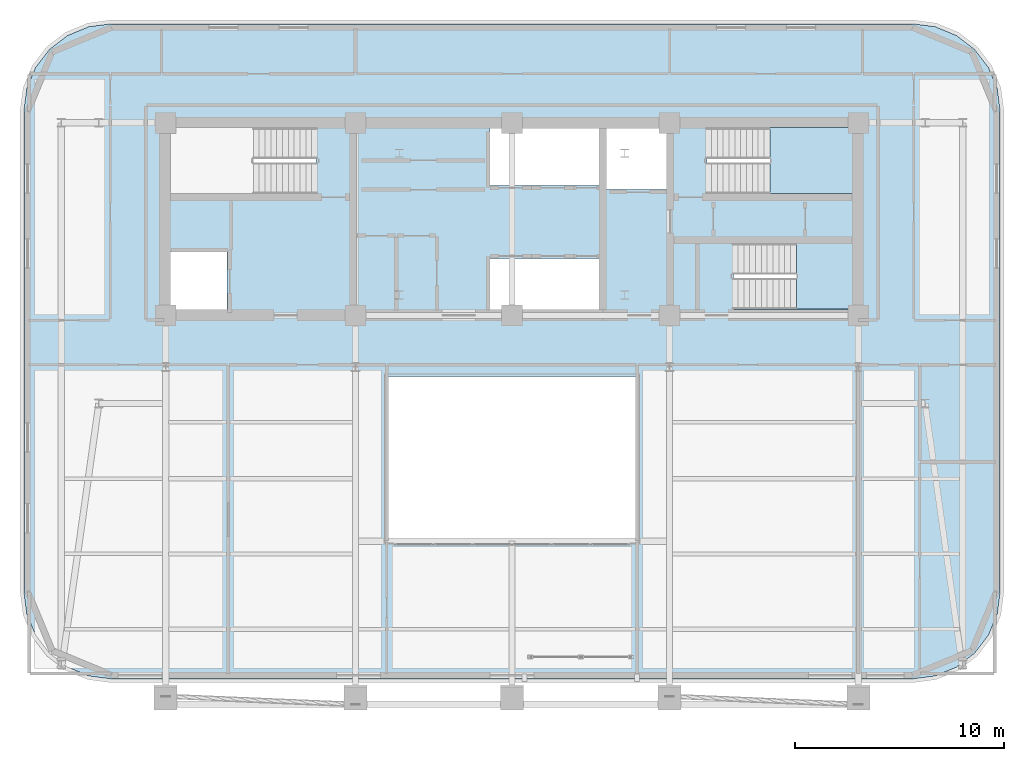
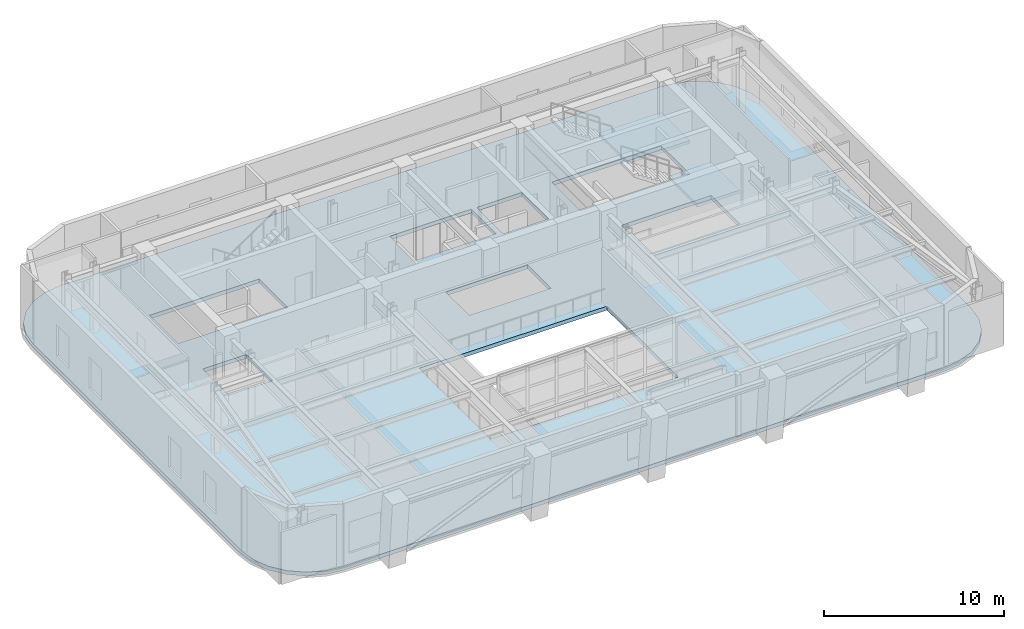
# One storey, part 4 of 13: 3 slabs, 2 elements without a shape of their own.
"""IFC4 building model written with IfcOpenShell, lengths in metres."""

from ifc_helpers import new_model, si_unit, direction, frame, origin, place, context, subcontext, project, spatial, polyline, outline, extrude, material, layer, layer_set, type_object, element, aggregate, save


model = new_model("IFC4")

# Units and contexts
model_context = context("Model", 3, precision=1e-05, world=origin(), true_north=direction((0.0, 1.0)))
body_context = subcontext(model_context, "Body", "Model", "MODEL_VIEW")
ifc_project = project(units=[si_unit("LENGTHUNIT", "METRE"), si_unit("AREAUNIT", "SQUARE_METRE"), si_unit("VOLUMEUNIT", "CUBIC_METRE"), si_unit("PLANEANGLEUNIT", "RADIAN"), si_unit("MASSUNIT", "GRAM", prefix="KILO")], contexts=[model_context])

# Site, building, storey
site_placement = place(None, origin())
site = spatial("IfcSite", under=ifc_project, at=site_placement, CompositionType="ELEMENT")
building_placement = place(site_placement, origin())
building = spatial("IfcBuilding", under=site, at=building_placement, Name="Zarnavel Station Tower", CompositionType="ELEMENT")
storey_placement = place(building_placement, frame((0.0, 0.0, 183.85009765625)))
storey = spatial("IfcBuildingStorey", under=building, at=storey_placement, Name="L50", CompositionType="ELEMENT", Elevation=183.85009765625)

# Slab
ifc_material_1 = material(Name="Concrete C45/55", Category="concrete")
ifc_layer_1 = layer(ifc_material_1, 0.260009765625)
ifc_layer_set_1 = layer_set([ifc_layer_1], Name="SL_FLR_260")
slab_type_1 = type_object("IfcSlabType", Name="SL_FLR_260", PredefinedType="FLOOR", material=ifc_layer_set_1)
slab_1_placement = place(storey_placement, frame((0.0, 0.0, -0.260009765625)))
element("IfcSlab", 1, at=slab_1_placement, inside=storey, type_object=slab_type_1, Name="L50 Structural Floor Slab", PredefinedType="FLOOR", context=body_context, shape_type="SweptSolid", body=[
    extrude(outline(polyline([(48.0, 10.39990234375), (49.0869140625, 10.543212890625), (50.10009765625, 10.962646484375), (50.9697265625, 11.630126953125), (51.63720703125, 12.5), (52.056884765625, 13.512939453125), (52.199951171875, 14.60009765625), (52.199951171875, 37.60009765625), (52.056884765625, 38.68701171875), (51.63720703125, 39.699951171875), (50.9697265625, 40.56982421875), (50.10009765625, 41.2373046875), (49.0869140625, 41.656982421875), (48.0, 41.800048828125), (9.60009765625, 41.800048828125), (8.512939453125, 41.656982421875), (7.5, 41.2373046875), (6.630126953125, 40.56982421875), (5.962646484375, 39.699951171875), (5.543212890625, 38.68701171875), (5.39990234375, 37.60009765625), (5.39990234375, 14.60009765625), (5.543212890625, 13.512939453125), (5.962646484375, 12.5), (6.630126953125, 11.630126953125), (7.5, 10.962646484375), (8.512939453125, 10.543212890625), (9.60009765625, 10.39990234375), (48.0, 10.39990234375)]), holes=[polyline([(12.39990234375, 33.659912109375), (19.409912109375, 33.659912109375), (19.409912109375, 36.820068359375), (12.39990234375, 36.820068359375), (12.39990234375, 33.659912109375)]), polyline([(38.14990234375, 33.659912109375), (45.159912109375, 33.659912109375), (45.159912109375, 36.820068359375), (38.14990234375, 36.820068359375), (38.14990234375, 33.659912109375)]), polyline([(39.419921875, 28.1201171875), (45.14990234375, 28.1201171875), (45.14990234375, 31.280029296875), (39.419921875, 31.280029296875), (39.419921875, 28.1201171875)]), polyline([(12.35009765625, 27.949951171875), (15.14990234375, 27.949951171875), (15.14990234375, 30.85009765625), (12.35009765625, 30.85009765625), (12.35009765625, 27.949951171875)]), polyline([(33.320068359375, 33.85009765625), (36.2099609375, 33.85009765625), (36.2099609375, 36.780029296875), (33.320068359375, 36.780029296875), (33.320068359375, 33.85009765625)]), polyline([(27.75, 34.050048828125), (32.97998046875, 34.050048828125), (32.97998046875, 36.780029296875), (27.75, 36.780029296875), (27.75, 34.050048828125)]), polyline([(27.75, 27.949951171875), (32.97998046875, 27.949951171875), (32.97998046875, 30.550048828125), (27.75, 30.550048828125), (27.75, 27.949951171875)]), polyline([(22.800048828125, 17.0), (34.800048828125, 17.0), (34.800048828125, 24.89990234375), (22.800048828125, 24.89990234375), (22.800048828125, 17.0)])]), origin(), (0.0, 0.0, 1.0), 0.260009765625),
])

# Stair, slab
ifc_material_2 = material(Name="Concrete C45/55", Category="concrete")
stair_type = type_object("IfcStairType", Name="ST_CORE_150", PredefinedType="HALF_TURN_STAIR", material=ifc_material_2)
stair_1_placement = place(storey_placement, origin())
stair_1 = element("IfcStair", 2, at=stair_1_placement, inside=storey, type_object=stair_type, Name="L50 Core Exit Stair ST2", PredefinedType="HALF_TURN_STAIR")
ifc_material_3 = material(Name="Concrete C45/55", Category="concrete")
ifc_layer_2 = layer(ifc_material_3, 0.199951171875)
ifc_layer_set_2 = layer_set([ifc_layer_2], Name="SL_STAIR_LAND_200")
slab_type_2 = type_object("IfcSlabType", Name="SL_STAIR_LAND_200", PredefinedType="LANDING", material=ifc_layer_set_2)
slab_2_placement = place(storey_placement, frame((0.0, 0.0, 2.074951171875)))
slab_2 = element("IfcSlab", 3, at=slab_2_placement, type_object=slab_type_2, Name="ST2 landing 1", PredefinedType="LANDING", context=body_context, shape_type="SweptSolid", body=[
    extrude(outline(polyline([(41.159912109375, 33.659912109375), (45.159912109375, 33.659912109375), (45.159912109375, 36.820068359375), (41.159912109375, 36.820068359375), (41.159912109375, 33.659912109375)])), origin(), (0.0, 0.0, 1.0), 0.199951171875),
])
aggregate(stair_1, [slab_2])

stair_2_placement = place(storey_placement, origin())
stair_2 = element("IfcStair", 4, at=stair_2_placement, inside=storey, type_object=stair_type, Name="L50 Core Exit Stair ST3", PredefinedType="HALF_TURN_STAIR")
slab_3_placement = place(storey_placement, frame((0.0, 0.0, 2.074951171875)))
slab_3 = element("IfcSlab", 5, at=slab_3_placement, type_object=slab_type_2, Name="ST3 landing 1", PredefinedType="LANDING", context=body_context, shape_type="SweptSolid", body=[
    extrude(outline(polyline([(42.429931640625, 28.1201171875), (45.14990234375, 28.1201171875), (45.14990234375, 31.280029296875), (42.429931640625, 31.280029296875), (42.429931640625, 28.1201171875)])), origin(), (0.0, 0.0, 1.0), 0.199951171875),
])
aggregate(stair_2, [slab_3])

save(model, "model.ifc")
